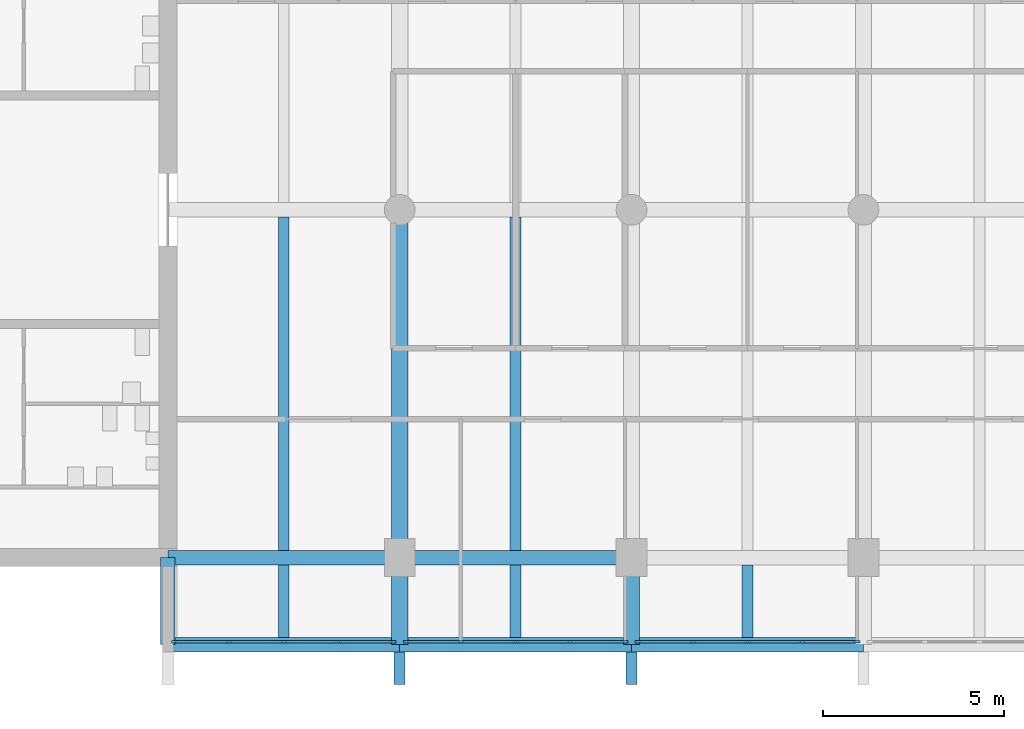
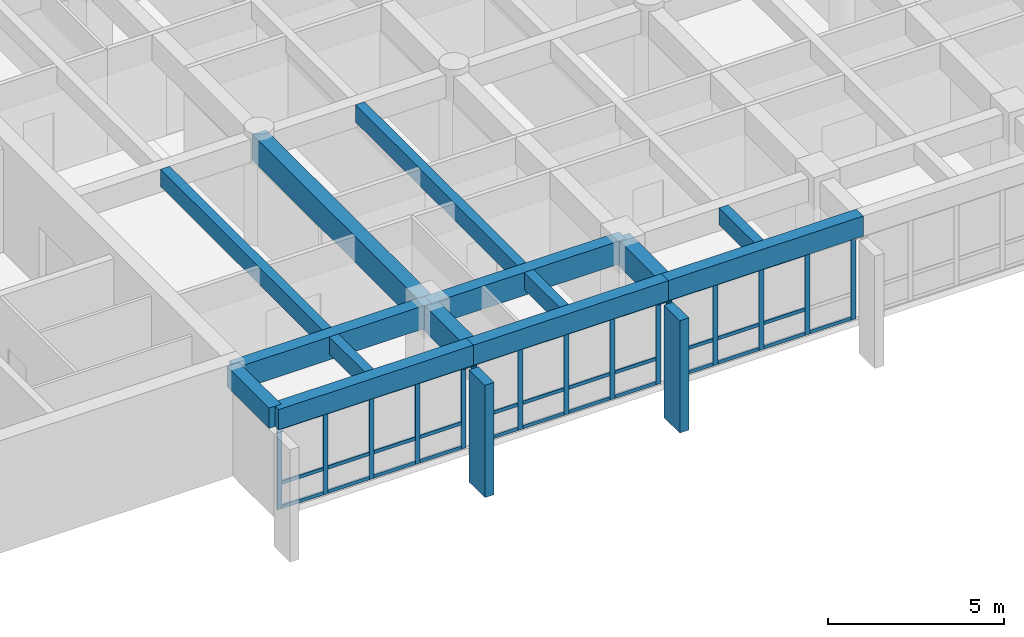
# One storey, part 2 of 15: 51 members, 14 beams, 3 elements without a shape of their own.
"""IFC4 building model written with IfcOpenShell, lengths in metres."""

from ifc_helpers import new_model, si_unit, direction, frame, origin, origin_2d, place, context, subcontext, project, spatial, rectangle, extrude, material, layer, layer_set, material_profile, profile_set, type_object, element, aggregate, save


model = new_model("IFC4")

# Units and contexts
model_context = context("Model", 3, precision=1e-05, world=origin(), true_north=direction((0.0, 1.0)))
body_context = subcontext(model_context, "Body", "Model", "MODEL_VIEW")
ifc_project = project(units=[si_unit("LENGTHUNIT", "METRE"), si_unit("AREAUNIT", "SQUARE_METRE"), si_unit("VOLUMEUNIT", "CUBIC_METRE"), si_unit("PLANEANGLEUNIT", "RADIAN"), si_unit("MASSUNIT", "GRAM", prefix="KILO")], contexts=[model_context])

# Site, building, storey
site_placement = place(None, origin())
site = spatial("IfcSite", under=ifc_project, at=site_placement, CompositionType="ELEMENT")
building_placement = place(site_placement, origin())
building = spatial("IfcBuilding", under=site, at=building_placement, Name="Fogon Plaza Fire Station and Headquarters Tower", CompositionType="ELEMENT")
storey_placement = place(building_placement, frame((0.0, 0.0, 52.199951171875)))
storey = spatial("IfcBuildingStorey", under=building, at=storey_placement, Name="L13", CompositionType="ELEMENT", Elevation=52.199951171875)

# Beams
ifc_material_1 = material(Name="Concrete C40", Category="concrete")
ifc_material_profile_1 = material_profile(ifc_material_1, rectangle(XDim=0.39990234375, YDim=0.699951171875, at=origin_2d()), Name="RC 400x700")
ifc_profile_set_1 = profile_set([ifc_material_profile_1], Name="Concrete C40")
beam_type_1 = type_object("IfcBeamType", Name="BEAM RC 400x700", PredefinedType="BEAM", material=ifc_profile_set_1)
for number, where, z_axis, x_axis, name in (
    (1, (25.60009765625, 31.199951171875, 3.330078125), (1.0, 0.0, 0.0), (0.0, 1.0, 0.0), "beam-L13-039"),
    (2, (32.0, 31.199951171875, 3.330078125), (1.0, 0.0, 0.0), (0.0, 1.0, 0.0), "beam-L13-040"),
):
    element("IfcBeam", number, at=place(storey_placement, frame(where, z_axis=z_axis, x_axis=x_axis)), inside=storey, type_object=beam_type_1, Name=name, PredefinedType="BEAM", context=body_context, shape_type="SweptSolid", body=[
        extrude(rectangle(XDim=0.39990234375, YDim=0.699951171875, at=origin_2d()), origin(), (0.0, 0.0, 1.0), 6.39990234375),
    ])
beam_1_placement = place(storey_placement, frame((38.39990234375, 31.199951171875, 3.330078125), z_axis=(1.0, 0.0, 0.0), x_axis=(0.0, 1.0, 0.0)))
element("IfcBeam", 3, at=beam_1_placement, inside=storey, type_object=beam_type_1, Name="beam-L13-041", PredefinedType="BEAM", context=body_context, shape_type="SweptSolid", body=[
    extrude(rectangle(XDim=0.39990234375, YDim=0.699951171875, at=origin_2d()), origin(), (0.0, 0.0, 1.0), 6.400146484375),
])
ifc_material_2 = material(Name="Concrete C40", Category="concrete")
ifc_material_profile_2 = material_profile(ifc_material_2, rectangle(XDim=0.39990234375, YDim=0.699951171875, at=origin_2d()), Name="RC 400x700")
ifc_profile_set_2 = profile_set([ifc_material_profile_2], Name="Concrete C40")
beam_type_2 = type_object("IfcBeamType", Name="BEAM RC 400x700 SPAN 0.0 TO 3.0 M", PredefinedType="BEAM", material=ifc_profile_set_2)
beam_2_placement = place(storey_placement, frame((25.60009765625, 31.199951171875, 3.330078125), z_axis=(0.0, 1.0, 0.0), x_axis=(-1.0, 0.0, 0.0)))
element("IfcBeam", 4, at=beam_2_placement, inside=storey, type_object=beam_type_2, Name="beam-L13-051", PredefinedType="BEAM", context=body_context, shape_type="SweptSolid", body=[
    extrude(rectangle(XDim=0.39990234375, YDim=0.699951171875, at=origin_2d()), origin(), (0.0, 0.0, 1.0), 2.400146484375),
])
ifc_material_3 = material(Name="Concrete C40", Category="concrete")
ifc_material_profile_3 = material_profile(ifc_material_3, rectangle(XDim=0.39990234375, YDim=0.800048828125, at=origin_2d()), Name="RC 400x800")
ifc_profile_set_3 = profile_set([ifc_material_profile_3], Name="Concrete C40")
beam_type_3 = type_object("IfcBeamType", Name="BEAM RC 400x800", PredefinedType="BEAM", material=ifc_profile_set_3)
for number, where, z_axis, x_axis, name in (
    (5, (25.60009765625, 33.60009765625, 3.280029296875), (1.0, 0.0, 0.0), (0.0, 1.0, 0.0), "beam-L13-021"),
    (6, (32.0, 33.60009765625, 3.280029296875), (1.0, 0.0, 0.0), (0.0, 1.0, 0.0), "beam-L13-022"),
):
    element("IfcBeam", number, at=place(storey_placement, frame(where, z_axis=z_axis, x_axis=x_axis)), inside=storey, type_object=beam_type_3, Name=name, PredefinedType="BEAM", context=body_context, shape_type="SweptSolid", body=[
        extrude(rectangle(XDim=0.39990234375, YDim=0.800048828125, at=origin_2d()), origin(), (0.0, 0.0, 1.0), 6.39990234375),
    ])
ifc_material_4 = material(Name="Concrete C40", Category="concrete")
ifc_material_profile_4 = material_profile(ifc_material_4, rectangle(XDim=0.449951171875, YDim=0.89990234375, at=origin_2d()), Name="RC 450x900")
ifc_profile_set_4 = profile_set([ifc_material_profile_4], Name="Concrete C40")
beam_type_4 = type_object("IfcBeamType", Name="BEAM RC 450x900", PredefinedType="BEAM", material=ifc_profile_set_4)
beam_3_placement = place(storey_placement, frame((32.0, 33.60009765625, 3.22998046875), z_axis=(0.0, 1.0, 0.0), x_axis=(-1.0, 0.0, 0.0)))
element("IfcBeam", 7, at=beam_3_placement, inside=storey, type_object=beam_type_4, Name="beam-L13-002", PredefinedType="BEAM", context=body_context, shape_type="SweptSolid", body=[
    extrude(rectangle(XDim=0.449951171875, YDim=0.89990234375, at=origin_2d()), origin(), (0.0, 0.0, 1.0), 9.599853515625),
])
ifc_material_5 = material(Name="Concrete C40", Category="concrete")
ifc_material_profile_5 = material_profile(ifc_material_5, rectangle(XDim=0.449951171875, YDim=0.89990234375, at=origin_2d()), Name="RC 450x900")
ifc_profile_set_5 = profile_set([ifc_material_profile_5], Name="Concrete C40")
beam_type_5 = type_object("IfcBeamType", Name="BEAM RC 450x900 SPAN 0.0 TO 3.0 M", PredefinedType="BEAM", material=ifc_profile_set_5)
for number, where, z_axis, x_axis, name in (
    (8, (32.0, 31.199951171875, 3.22998046875), (0.0, 1.0, 0.0), (-1.0, 0.0, 0.0), "beam-L13-001"),
    (9, (38.39990234375, 31.199951171875, 3.22998046875), (0.0, 1.0, 0.0), (-1.0, 0.0, 0.0), "beam-L13-005"),
):
    element("IfcBeam", number, at=place(storey_placement, frame(where, z_axis=z_axis, x_axis=x_axis)), inside=storey, type_object=beam_type_5, Name=name, PredefinedType="BEAM", context=body_context, shape_type="SweptSolid", body=[
        extrude(rectangle(XDim=0.449951171875, YDim=0.89990234375, at=origin_2d()), origin(), (0.0, 0.0, 1.0), 2.400146484375),
    ])

# Curtain wall, members
ifc_material_6 = material(Name="Aluminium and glass", Category="aluminium")
ifc_layer = layer(ifc_material_6, 0.14990234375)
ifc_layer_set = layer_set([ifc_layer], Name="Aluminium and glass")
curtain_wall_type = type_object("IfcCurtainWallType", Name="Unitised Curtain Wall Run 6100x2880", PredefinedType="NOTDEFINED", material=ifc_layer_set)
curtain_wall_1_placement = place(storey_placement, origin())
curtain_wall_1 = element("IfcCurtainWall", 10, at=curtain_wall_1_placement, inside=storey, type_object=curtain_wall_type, Name="CW-6100x2880 S1 L13", PredefinedType="NOTDEFINED")
ifc_material_7 = material(Name="Aluminium", Category="aluminium")
ifc_material_profile_6 = material_profile(ifc_material_7, rectangle(XDim=0.06005859375, YDim=0.159912109375, at=origin_2d()), Name="Curtain Wall Mullion 60x160")
ifc_profile_set_6 = profile_set([ifc_material_profile_6], Name="Aluminium")
member_type_1 = type_object("IfcMemberType", Name="Curtain Wall Mullion 60x160", PredefinedType="MULLION", material=ifc_profile_set_6)
member_1_placement = place(storey_placement, frame((25.780029296875, 31.280029296875, 0.0), z_axis=(0.0, 0.0, 1.0), x_axis=(0.0, 1.0, 0.0)))
member_1 = element("IfcMember", 11, at=member_1_placement, type_object=member_type_1, Name="CW-6100x2880 mullion 1", PredefinedType="MULLION", context=body_context, shape_type="SweptSolid", body=[
    extrude(rectangle(XDim=0.06005859375, YDim=0.159912109375, at=origin_2d()), origin(), (0.0, 0.0, 1.0), 2.880126953125),
])
member_2_placement = place(storey_placement, frame((27.2900390625, 31.280029296875, 0.0), z_axis=(0.0, 0.0, 1.0), x_axis=(0.0, 1.0, 0.0)))
member_2 = element("IfcMember", 12, at=member_2_placement, type_object=member_type_1, Name="CW-6100x2880 mullion 2", PredefinedType="MULLION", context=body_context, shape_type="SweptSolid", body=[
    extrude(rectangle(XDim=0.06005859375, YDim=0.159912109375, at=origin_2d()), origin(), (0.0, 0.0, 1.0), 2.880126953125),
])
member_3_placement = place(storey_placement, frame((28.800048828125, 31.280029296875, 0.0), z_axis=(0.0, 0.0, 1.0), x_axis=(0.0, 1.0, 0.0)))
member_3 = element("IfcMember", 13, at=member_3_placement, type_object=member_type_1, Name="CW-6100x2880 mullion 3", PredefinedType="MULLION", context=body_context, shape_type="SweptSolid", body=[
    extrude(rectangle(XDim=0.06005859375, YDim=0.159912109375, at=origin_2d()), origin(), (0.0, 0.0, 1.0), 2.880126953125),
])
member_4_placement = place(storey_placement, frame((30.31005859375, 31.280029296875, 0.0), z_axis=(0.0, 0.0, 1.0), x_axis=(0.0, 1.0, 0.0)))
member_4 = element("IfcMember", 14, at=member_4_placement, type_object=member_type_1, Name="CW-6100x2880 mullion 4", PredefinedType="MULLION", context=body_context, shape_type="SweptSolid", body=[
    extrude(rectangle(XDim=0.06005859375, YDim=0.159912109375, at=origin_2d()), origin(), (0.0, 0.0, 1.0), 2.880126953125),
])
member_5_placement = place(storey_placement, frame((31.820068359375, 31.280029296875, 0.0), z_axis=(0.0, 0.0, 1.0), x_axis=(0.0, 1.0, 0.0)))
member_5 = element("IfcMember", 15, at=member_5_placement, type_object=member_type_1, Name="CW-6100x2880 mullion 5", PredefinedType="MULLION", context=body_context, shape_type="SweptSolid", body=[
    extrude(rectangle(XDim=0.06005859375, YDim=0.159912109375, at=origin_2d()), origin(), (0.0, 0.0, 1.0), 2.880126953125),
])

curtain_wall_2_placement = place(storey_placement, origin())
curtain_wall_2 = element("IfcCurtainWall", 16, at=curtain_wall_2_placement, inside=storey, type_object=curtain_wall_type, Name="CW-6100x2880 S2 L13", PredefinedType="NOTDEFINED")
member_6_placement = place(storey_placement, frame((32.179931640625, 31.280029296875, 0.0), z_axis=(0.0, 0.0, 1.0), x_axis=(0.0, 1.0, 0.0)))
member_6 = element("IfcMember", 17, at=member_6_placement, type_object=member_type_1, Name="CW-6100x2880 mullion 1", PredefinedType="MULLION", context=body_context, shape_type="SweptSolid", body=[
    extrude(rectangle(XDim=0.06005859375, YDim=0.159912109375, at=origin_2d()), origin(), (0.0, 0.0, 1.0), 2.880126953125),
])
member_7_placement = place(storey_placement, frame((33.68994140625, 31.280029296875, 0.0), z_axis=(0.0, 0.0, 1.0), x_axis=(0.0, 1.0, 0.0)))
member_7 = element("IfcMember", 18, at=member_7_placement, type_object=member_type_1, Name="CW-6100x2880 mullion 2", PredefinedType="MULLION", context=body_context, shape_type="SweptSolid", body=[
    extrude(rectangle(XDim=0.06005859375, YDim=0.159912109375, at=origin_2d()), origin(), (0.0, 0.0, 1.0), 2.880126953125),
])
member_8_placement = place(storey_placement, frame((35.199951171875, 31.280029296875, 0.0), z_axis=(0.0, 0.0, 1.0), x_axis=(0.0, 1.0, 0.0)))
member_8 = element("IfcMember", 19, at=member_8_placement, type_object=member_type_1, Name="CW-6100x2880 mullion 3", PredefinedType="MULLION", context=body_context, shape_type="SweptSolid", body=[
    extrude(rectangle(XDim=0.06005859375, YDim=0.159912109375, at=origin_2d()), origin(), (0.0, 0.0, 1.0), 2.880126953125),
])
member_9_placement = place(storey_placement, frame((36.7099609375, 31.280029296875, 0.0), z_axis=(0.0, 0.0, 1.0), x_axis=(0.0, 1.0, 0.0)))
member_9 = element("IfcMember", 20, at=member_9_placement, type_object=member_type_1, Name="CW-6100x2880 mullion 4", PredefinedType="MULLION", context=body_context, shape_type="SweptSolid", body=[
    extrude(rectangle(XDim=0.06005859375, YDim=0.159912109375, at=origin_2d()), origin(), (0.0, 0.0, 1.0), 2.880126953125),
])
member_10_placement = place(storey_placement, frame((38.219970703125, 31.280029296875, 0.0), z_axis=(0.0, 0.0, 1.0), x_axis=(0.0, 1.0, 0.0)))
member_10 = element("IfcMember", 21, at=member_10_placement, type_object=member_type_1, Name="CW-6100x2880 mullion 5", PredefinedType="MULLION", context=body_context, shape_type="SweptSolid", body=[
    extrude(rectangle(XDim=0.06005859375, YDim=0.159912109375, at=origin_2d()), origin(), (0.0, 0.0, 1.0), 2.880126953125),
])

curtain_wall_3_placement = place(storey_placement, origin())
curtain_wall_3 = element("IfcCurtainWall", 22, at=curtain_wall_3_placement, inside=storey, type_object=curtain_wall_type, Name="CW-6100x2880 S3 L13", PredefinedType="NOTDEFINED")
member_11_placement = place(storey_placement, frame((38.580078125, 31.280029296875, 0.0), z_axis=(0.0, 0.0, 1.0), x_axis=(0.0, 1.0, 0.0)))
member_11 = element("IfcMember", 23, at=member_11_placement, type_object=member_type_1, Name="CW-6100x2880 mullion 1", PredefinedType="MULLION", context=body_context, shape_type="SweptSolid", body=[
    extrude(rectangle(XDim=0.06005859375, YDim=0.159912109375, at=origin_2d()), origin(), (0.0, 0.0, 1.0), 2.880126953125),
])
member_12_placement = place(storey_placement, frame((40.090087890625, 31.280029296875, 0.0), z_axis=(0.0, 0.0, 1.0), x_axis=(0.0, 1.0, 0.0)))
member_12 = element("IfcMember", 24, at=member_12_placement, type_object=member_type_1, Name="CW-6100x2880 mullion 2", PredefinedType="MULLION", context=body_context, shape_type="SweptSolid", body=[
    extrude(rectangle(XDim=0.06005859375, YDim=0.159912109375, at=origin_2d()), origin(), (0.0, 0.0, 1.0), 2.880126953125),
])
member_13_placement = place(storey_placement, frame((41.60009765625, 31.280029296875, 0.0), z_axis=(0.0, 0.0, 1.0), x_axis=(0.0, 1.0, 0.0)))
member_13 = element("IfcMember", 25, at=member_13_placement, type_object=member_type_1, Name="CW-6100x2880 mullion 3", PredefinedType="MULLION", context=body_context, shape_type="SweptSolid", body=[
    extrude(rectangle(XDim=0.06005859375, YDim=0.159912109375, at=origin_2d()), origin(), (0.0, 0.0, 1.0), 2.880126953125),
])
member_14_placement = place(storey_placement, frame((43.110107421875, 31.280029296875, 0.0), z_axis=(0.0, 0.0, 1.0), x_axis=(0.0, 1.0, 0.0)))
member_14 = element("IfcMember", 26, at=member_14_placement, type_object=member_type_1, Name="CW-6100x2880 mullion 4", PredefinedType="MULLION", context=body_context, shape_type="SweptSolid", body=[
    extrude(rectangle(XDim=0.06005859375, YDim=0.159912109375, at=origin_2d()), origin(), (0.0, 0.0, 1.0), 2.880126953125),
])
member_15_placement = place(storey_placement, frame((44.6201171875, 31.280029296875, 0.0), z_axis=(0.0, 0.0, 1.0), x_axis=(0.0, 1.0, 0.0)))
member_15 = element("IfcMember", 27, at=member_15_placement, type_object=member_type_1, Name="CW-6100x2880 mullion 5", PredefinedType="MULLION", context=body_context, shape_type="SweptSolid", body=[
    extrude(rectangle(XDim=0.06005859375, YDim=0.159912109375, at=origin_2d()), origin(), (0.0, 0.0, 1.0), 2.880126953125),
])

# Member
ifc_material_8 = material(Name="Aluminium", Category="aluminium")
ifc_material_profile_7 = material_profile(ifc_material_8, rectangle(XDim=0.06005859375, YDim=0.1201171875, at=origin_2d()), Name="Curtain Wall Transom 60x120")
ifc_profile_set_7 = profile_set([ifc_material_profile_7], Name="Aluminium")
member_type_2 = type_object("IfcMemberType", Name="Curtain Wall Transom 60x120", PredefinedType="USERDEFINED", material=ifc_profile_set_7)
member_16_placement = place(storey_placement, frame((25.81005859375, 31.280029296875, 0.06005859375), z_axis=(1.0, 0.0, 0.0), x_axis=(0.0, 1.0, 0.0)))
member_16 = element("IfcMember", 28, at=member_16_placement, type_object=member_type_2, Name="CW-6100x2880 transom 1.1", ObjectType="TRANSOM", PredefinedType="USERDEFINED", context=body_context, shape_type="SweptSolid", body=[
    extrude(rectangle(XDim=0.06005859375, YDim=0.1201171875, at=origin_2d()), origin(), (0.0, 0.0, 1.0), 1.449951171875),
])

member_17_placement = place(storey_placement, frame((25.81005859375, 31.280029296875, 0.900146484375), z_axis=(1.0, 0.0, 0.0), x_axis=(0.0, 1.0, 0.0)))
member_17 = element("IfcMember", 29, at=member_17_placement, type_object=member_type_2, Name="CW-6100x2880 transom 1.2", ObjectType="TRANSOM", PredefinedType="USERDEFINED", context=body_context, shape_type="SweptSolid", body=[
    extrude(rectangle(XDim=0.06005859375, YDim=0.1201171875, at=origin_2d()), origin(), (0.0, 0.0, 1.0), 1.449951171875),
])

member_18_placement = place(storey_placement, frame((25.81005859375, 31.280029296875, 2.820068359375), z_axis=(1.0, 0.0, 0.0), x_axis=(0.0, 1.0, 0.0)))
member_18 = element("IfcMember", 30, at=member_18_placement, type_object=member_type_2, Name="CW-6100x2880 transom 1.3", ObjectType="TRANSOM", PredefinedType="USERDEFINED", context=body_context, shape_type="SweptSolid", body=[
    extrude(rectangle(XDim=0.06005859375, YDim=0.1201171875, at=origin_2d()), origin(), (0.0, 0.0, 1.0), 1.449951171875),
])

member_19_placement = place(storey_placement, frame((27.320068359375, 31.280029296875, 0.06005859375), z_axis=(1.0, 0.0, 0.0), x_axis=(0.0, 1.0, 0.0)))
member_19 = element("IfcMember", 31, at=member_19_placement, type_object=member_type_2, Name="CW-6100x2880 transom 2.1", ObjectType="TRANSOM", PredefinedType="USERDEFINED", context=body_context, shape_type="SweptSolid", body=[
    extrude(rectangle(XDim=0.06005859375, YDim=0.1201171875, at=origin_2d()), origin(), (0.0, 0.0, 1.0), 1.449951171875),
])

member_20_placement = place(storey_placement, frame((27.320068359375, 31.280029296875, 0.900146484375), z_axis=(1.0, 0.0, 0.0), x_axis=(0.0, 1.0, 0.0)))
member_20 = element("IfcMember", 32, at=member_20_placement, type_object=member_type_2, Name="CW-6100x2880 transom 2.2", ObjectType="TRANSOM", PredefinedType="USERDEFINED", context=body_context, shape_type="SweptSolid", body=[
    extrude(rectangle(XDim=0.06005859375, YDim=0.1201171875, at=origin_2d()), origin(), (0.0, 0.0, 1.0), 1.449951171875),
])

member_21_placement = place(storey_placement, frame((27.320068359375, 31.280029296875, 2.820068359375), z_axis=(1.0, 0.0, 0.0), x_axis=(0.0, 1.0, 0.0)))
member_21 = element("IfcMember", 33, at=member_21_placement, type_object=member_type_2, Name="CW-6100x2880 transom 2.3", ObjectType="TRANSOM", PredefinedType="USERDEFINED", context=body_context, shape_type="SweptSolid", body=[
    extrude(rectangle(XDim=0.06005859375, YDim=0.1201171875, at=origin_2d()), origin(), (0.0, 0.0, 1.0), 1.449951171875),
])

member_22_placement = place(storey_placement, frame((28.830078125, 31.280029296875, 0.06005859375), z_axis=(1.0, 0.0, 0.0), x_axis=(0.0, 1.0, 0.0)))
member_22 = element("IfcMember", 34, at=member_22_placement, type_object=member_type_2, Name="CW-6100x2880 transom 3.1", ObjectType="TRANSOM", PredefinedType="USERDEFINED", context=body_context, shape_type="SweptSolid", body=[
    extrude(rectangle(XDim=0.06005859375, YDim=0.1201171875, at=origin_2d()), origin(), (0.0, 0.0, 1.0), 1.449951171875),
])

member_23_placement = place(storey_placement, frame((28.830078125, 31.280029296875, 0.900146484375), z_axis=(1.0, 0.0, 0.0), x_axis=(0.0, 1.0, 0.0)))
member_23 = element("IfcMember", 35, at=member_23_placement, type_object=member_type_2, Name="CW-6100x2880 transom 3.2", ObjectType="TRANSOM", PredefinedType="USERDEFINED", context=body_context, shape_type="SweptSolid", body=[
    extrude(rectangle(XDim=0.06005859375, YDim=0.1201171875, at=origin_2d()), origin(), (0.0, 0.0, 1.0), 1.449951171875),
])

member_24_placement = place(storey_placement, frame((28.830078125, 31.280029296875, 2.820068359375), z_axis=(1.0, 0.0, 0.0), x_axis=(0.0, 1.0, 0.0)))
member_24 = element("IfcMember", 36, at=member_24_placement, type_object=member_type_2, Name="CW-6100x2880 transom 3.3", ObjectType="TRANSOM", PredefinedType="USERDEFINED", context=body_context, shape_type="SweptSolid", body=[
    extrude(rectangle(XDim=0.06005859375, YDim=0.1201171875, at=origin_2d()), origin(), (0.0, 0.0, 1.0), 1.449951171875),
])

member_25_placement = place(storey_placement, frame((30.340087890625, 31.280029296875, 0.06005859375), z_axis=(1.0, 0.0, 0.0), x_axis=(0.0, 1.0, 0.0)))
member_25 = element("IfcMember", 37, at=member_25_placement, type_object=member_type_2, Name="CW-6100x2880 transom 4.1", ObjectType="TRANSOM", PredefinedType="USERDEFINED", context=body_context, shape_type="SweptSolid", body=[
    extrude(rectangle(XDim=0.06005859375, YDim=0.1201171875, at=origin_2d()), origin(), (0.0, 0.0, 1.0), 1.449951171875),
])

member_26_placement = place(storey_placement, frame((30.340087890625, 31.280029296875, 0.900146484375), z_axis=(1.0, 0.0, 0.0), x_axis=(0.0, 1.0, 0.0)))
member_26 = element("IfcMember", 38, at=member_26_placement, type_object=member_type_2, Name="CW-6100x2880 transom 4.2", ObjectType="TRANSOM", PredefinedType="USERDEFINED", context=body_context, shape_type="SweptSolid", body=[
    extrude(rectangle(XDim=0.06005859375, YDim=0.1201171875, at=origin_2d()), origin(), (0.0, 0.0, 1.0), 1.449951171875),
])

member_27_placement = place(storey_placement, frame((30.340087890625, 31.280029296875, 2.820068359375), z_axis=(1.0, 0.0, 0.0), x_axis=(0.0, 1.0, 0.0)))
member_27 = element("IfcMember", 39, at=member_27_placement, type_object=member_type_2, Name="CW-6100x2880 transom 4.3", ObjectType="TRANSOM", PredefinedType="USERDEFINED", context=body_context, shape_type="SweptSolid", body=[
    extrude(rectangle(XDim=0.06005859375, YDim=0.1201171875, at=origin_2d()), origin(), (0.0, 0.0, 1.0), 1.449951171875),
])

aggregate(curtain_wall_1, [member_1, member_2, member_3, member_4, member_5, member_16, member_17, member_18, member_19, member_20, member_21, member_22, member_23, member_24, member_25, member_26, member_27])

member_28_placement = place(storey_placement, frame((32.2099609375, 31.280029296875, 0.06005859375), z_axis=(1.0, 0.0, 0.0), x_axis=(0.0, 1.0, 0.0)))
member_28 = element("IfcMember", 40, at=member_28_placement, type_object=member_type_2, Name="CW-6100x2880 transom 1.1", ObjectType="TRANSOM", PredefinedType="USERDEFINED", context=body_context, shape_type="SweptSolid", body=[
    extrude(rectangle(XDim=0.06005859375, YDim=0.1201171875, at=origin_2d()), origin(), (0.0, 0.0, 1.0), 1.449951171875),
])

member_29_placement = place(storey_placement, frame((32.2099609375, 31.280029296875, 0.900146484375), z_axis=(1.0, 0.0, 0.0), x_axis=(0.0, 1.0, 0.0)))
member_29 = element("IfcMember", 41, at=member_29_placement, type_object=member_type_2, Name="CW-6100x2880 transom 1.2", ObjectType="TRANSOM", PredefinedType="USERDEFINED", context=body_context, shape_type="SweptSolid", body=[
    extrude(rectangle(XDim=0.06005859375, YDim=0.1201171875, at=origin_2d()), origin(), (0.0, 0.0, 1.0), 1.449951171875),
])

member_30_placement = place(storey_placement, frame((32.2099609375, 31.280029296875, 2.820068359375), z_axis=(1.0, 0.0, 0.0), x_axis=(0.0, 1.0, 0.0)))
member_30 = element("IfcMember", 42, at=member_30_placement, type_object=member_type_2, Name="CW-6100x2880 transom 1.3", ObjectType="TRANSOM", PredefinedType="USERDEFINED", context=body_context, shape_type="SweptSolid", body=[
    extrude(rectangle(XDim=0.06005859375, YDim=0.1201171875, at=origin_2d()), origin(), (0.0, 0.0, 1.0), 1.449951171875),
])

member_31_placement = place(storey_placement, frame((33.719970703125, 31.280029296875, 0.06005859375), z_axis=(1.0, 0.0, 0.0), x_axis=(0.0, 1.0, 0.0)))
member_31 = element("IfcMember", 43, at=member_31_placement, type_object=member_type_2, Name="CW-6100x2880 transom 2.1", ObjectType="TRANSOM", PredefinedType="USERDEFINED", context=body_context, shape_type="SweptSolid", body=[
    extrude(rectangle(XDim=0.06005859375, YDim=0.1201171875, at=origin_2d()), origin(), (0.0, 0.0, 1.0), 1.449951171875),
])

member_32_placement = place(storey_placement, frame((33.719970703125, 31.280029296875, 0.900146484375), z_axis=(1.0, 0.0, 0.0), x_axis=(0.0, 1.0, 0.0)))
member_32 = element("IfcMember", 44, at=member_32_placement, type_object=member_type_2, Name="CW-6100x2880 transom 2.2", ObjectType="TRANSOM", PredefinedType="USERDEFINED", context=body_context, shape_type="SweptSolid", body=[
    extrude(rectangle(XDim=0.06005859375, YDim=0.1201171875, at=origin_2d()), origin(), (0.0, 0.0, 1.0), 1.449951171875),
])

member_33_placement = place(storey_placement, frame((33.719970703125, 31.280029296875, 2.820068359375), z_axis=(1.0, 0.0, 0.0), x_axis=(0.0, 1.0, 0.0)))
member_33 = element("IfcMember", 45, at=member_33_placement, type_object=member_type_2, Name="CW-6100x2880 transom 2.3", ObjectType="TRANSOM", PredefinedType="USERDEFINED", context=body_context, shape_type="SweptSolid", body=[
    extrude(rectangle(XDim=0.06005859375, YDim=0.1201171875, at=origin_2d()), origin(), (0.0, 0.0, 1.0), 1.449951171875),
])

member_34_placement = place(storey_placement, frame((35.22998046875, 31.280029296875, 0.06005859375), z_axis=(1.0, 0.0, 0.0), x_axis=(0.0, 1.0, 0.0)))
member_34 = element("IfcMember", 46, at=member_34_placement, type_object=member_type_2, Name="CW-6100x2880 transom 3.1", ObjectType="TRANSOM", PredefinedType="USERDEFINED", context=body_context, shape_type="SweptSolid", body=[
    extrude(rectangle(XDim=0.06005859375, YDim=0.1201171875, at=origin_2d()), origin(), (0.0, 0.0, 1.0), 1.449951171875),
])

member_35_placement = place(storey_placement, frame((35.22998046875, 31.280029296875, 0.900146484375), z_axis=(1.0, 0.0, 0.0), x_axis=(0.0, 1.0, 0.0)))
member_35 = element("IfcMember", 47, at=member_35_placement, type_object=member_type_2, Name="CW-6100x2880 transom 3.2", ObjectType="TRANSOM", PredefinedType="USERDEFINED", context=body_context, shape_type="SweptSolid", body=[
    extrude(rectangle(XDim=0.06005859375, YDim=0.1201171875, at=origin_2d()), origin(), (0.0, 0.0, 1.0), 1.449951171875),
])

member_36_placement = place(storey_placement, frame((35.22998046875, 31.280029296875, 2.820068359375), z_axis=(1.0, 0.0, 0.0), x_axis=(0.0, 1.0, 0.0)))
member_36 = element("IfcMember", 48, at=member_36_placement, type_object=member_type_2, Name="CW-6100x2880 transom 3.3", ObjectType="TRANSOM", PredefinedType="USERDEFINED", context=body_context, shape_type="SweptSolid", body=[
    extrude(rectangle(XDim=0.06005859375, YDim=0.1201171875, at=origin_2d()), origin(), (0.0, 0.0, 1.0), 1.449951171875),
])

member_37_placement = place(storey_placement, frame((36.739990234375, 31.280029296875, 0.06005859375), z_axis=(1.0, 0.0, 0.0), x_axis=(0.0, 1.0, 0.0)))
member_37 = element("IfcMember", 49, at=member_37_placement, type_object=member_type_2, Name="CW-6100x2880 transom 4.1", ObjectType="TRANSOM", PredefinedType="USERDEFINED", context=body_context, shape_type="SweptSolid", body=[
    extrude(rectangle(XDim=0.06005859375, YDim=0.1201171875, at=origin_2d()), origin(), (0.0, 0.0, 1.0), 1.449951171875),
])

member_38_placement = place(storey_placement, frame((36.739990234375, 31.280029296875, 0.900146484375), z_axis=(1.0, 0.0, 0.0), x_axis=(0.0, 1.0, 0.0)))
member_38 = element("IfcMember", 50, at=member_38_placement, type_object=member_type_2, Name="CW-6100x2880 transom 4.2", ObjectType="TRANSOM", PredefinedType="USERDEFINED", context=body_context, shape_type="SweptSolid", body=[
    extrude(rectangle(XDim=0.06005859375, YDim=0.1201171875, at=origin_2d()), origin(), (0.0, 0.0, 1.0), 1.449951171875),
])

member_39_placement = place(storey_placement, frame((36.739990234375, 31.280029296875, 2.820068359375), z_axis=(1.0, 0.0, 0.0), x_axis=(0.0, 1.0, 0.0)))
member_39 = element("IfcMember", 51, at=member_39_placement, type_object=member_type_2, Name="CW-6100x2880 transom 4.3", ObjectType="TRANSOM", PredefinedType="USERDEFINED", context=body_context, shape_type="SweptSolid", body=[
    extrude(rectangle(XDim=0.06005859375, YDim=0.1201171875, at=origin_2d()), origin(), (0.0, 0.0, 1.0), 1.449951171875),
])

aggregate(curtain_wall_2, [member_6, member_7, member_8, member_9, member_10, member_28, member_29, member_30, member_31, member_32, member_33, member_34, member_35, member_36, member_37, member_38, member_39])

member_40_placement = place(storey_placement, frame((38.610107421875, 31.280029296875, 0.06005859375), z_axis=(1.0, 0.0, 0.0), x_axis=(0.0, 1.0, 0.0)))
member_40 = element("IfcMember", 52, at=member_40_placement, type_object=member_type_2, Name="CW-6100x2880 transom 1.1", ObjectType="TRANSOM", PredefinedType="USERDEFINED", context=body_context, shape_type="SweptSolid", body=[
    extrude(rectangle(XDim=0.06005859375, YDim=0.1201171875, at=origin_2d()), origin(), (0.0, 0.0, 1.0), 1.449951171875),
])

member_41_placement = place(storey_placement, frame((38.610107421875, 31.280029296875, 0.900146484375), z_axis=(1.0, 0.0, 0.0), x_axis=(0.0, 1.0, 0.0)))
member_41 = element("IfcMember", 53, at=member_41_placement, type_object=member_type_2, Name="CW-6100x2880 transom 1.2", ObjectType="TRANSOM", PredefinedType="USERDEFINED", context=body_context, shape_type="SweptSolid", body=[
    extrude(rectangle(XDim=0.06005859375, YDim=0.1201171875, at=origin_2d()), origin(), (0.0, 0.0, 1.0), 1.449951171875),
])

member_42_placement = place(storey_placement, frame((38.610107421875, 31.280029296875, 2.820068359375), z_axis=(1.0, 0.0, 0.0), x_axis=(0.0, 1.0, 0.0)))
member_42 = element("IfcMember", 54, at=member_42_placement, type_object=member_type_2, Name="CW-6100x2880 transom 1.3", ObjectType="TRANSOM", PredefinedType="USERDEFINED", context=body_context, shape_type="SweptSolid", body=[
    extrude(rectangle(XDim=0.06005859375, YDim=0.1201171875, at=origin_2d()), origin(), (0.0, 0.0, 1.0), 1.449951171875),
])

member_43_placement = place(storey_placement, frame((40.1201171875, 31.280029296875, 0.06005859375), z_axis=(1.0, 0.0, 0.0), x_axis=(0.0, 1.0, 0.0)))
member_43 = element("IfcMember", 55, at=member_43_placement, type_object=member_type_2, Name="CW-6100x2880 transom 2.1", ObjectType="TRANSOM", PredefinedType="USERDEFINED", context=body_context, shape_type="SweptSolid", body=[
    extrude(rectangle(XDim=0.06005859375, YDim=0.1201171875, at=origin_2d()), origin(), (0.0, 0.0, 1.0), 1.449951171875),
])

member_44_placement = place(storey_placement, frame((40.1201171875, 31.280029296875, 0.900146484375), z_axis=(1.0, 0.0, 0.0), x_axis=(0.0, 1.0, 0.0)))
member_44 = element("IfcMember", 56, at=member_44_placement, type_object=member_type_2, Name="CW-6100x2880 transom 2.2", ObjectType="TRANSOM", PredefinedType="USERDEFINED", context=body_context, shape_type="SweptSolid", body=[
    extrude(rectangle(XDim=0.06005859375, YDim=0.1201171875, at=origin_2d()), origin(), (0.0, 0.0, 1.0), 1.449951171875),
])

member_45_placement = place(storey_placement, frame((40.1201171875, 31.280029296875, 2.820068359375), z_axis=(1.0, 0.0, 0.0), x_axis=(0.0, 1.0, 0.0)))
member_45 = element("IfcMember", 57, at=member_45_placement, type_object=member_type_2, Name="CW-6100x2880 transom 2.3", ObjectType="TRANSOM", PredefinedType="USERDEFINED", context=body_context, shape_type="SweptSolid", body=[
    extrude(rectangle(XDim=0.06005859375, YDim=0.1201171875, at=origin_2d()), origin(), (0.0, 0.0, 1.0), 1.449951171875),
])

member_46_placement = place(storey_placement, frame((41.6298828125, 31.280029296875, 0.06005859375), z_axis=(1.0, 0.0, 0.0), x_axis=(0.0, 1.0, 0.0)))
member_46 = element("IfcMember", 58, at=member_46_placement, type_object=member_type_2, Name="CW-6100x2880 transom 3.1", ObjectType="TRANSOM", PredefinedType="USERDEFINED", context=body_context, shape_type="SweptSolid", body=[
    extrude(rectangle(XDim=0.06005859375, YDim=0.1201171875, at=origin_2d()), origin(), (0.0, 0.0, 1.0), 1.4501953125),
])

member_47_placement = place(storey_placement, frame((41.6298828125, 31.280029296875, 0.900146484375), z_axis=(1.0, 0.0, 0.0), x_axis=(0.0, 1.0, 0.0)))
member_47 = element("IfcMember", 59, at=member_47_placement, type_object=member_type_2, Name="CW-6100x2880 transom 3.2", ObjectType="TRANSOM", PredefinedType="USERDEFINED", context=body_context, shape_type="SweptSolid", body=[
    extrude(rectangle(XDim=0.06005859375, YDim=0.1201171875, at=origin_2d()), origin(), (0.0, 0.0, 1.0), 1.4501953125),
])

member_48_placement = place(storey_placement, frame((41.6298828125, 31.280029296875, 2.820068359375), z_axis=(1.0, 0.0, 0.0), x_axis=(0.0, 1.0, 0.0)))
member_48 = element("IfcMember", 60, at=member_48_placement, type_object=member_type_2, Name="CW-6100x2880 transom 3.3", ObjectType="TRANSOM", PredefinedType="USERDEFINED", context=body_context, shape_type="SweptSolid", body=[
    extrude(rectangle(XDim=0.06005859375, YDim=0.1201171875, at=origin_2d()), origin(), (0.0, 0.0, 1.0), 1.4501953125),
])

member_49_placement = place(storey_placement, frame((43.139892578125, 31.280029296875, 0.06005859375), z_axis=(1.0, 0.0, 0.0), x_axis=(0.0, 1.0, 0.0)))
member_49 = element("IfcMember", 61, at=member_49_placement, type_object=member_type_2, Name="CW-6100x2880 transom 4.1", ObjectType="TRANSOM", PredefinedType="USERDEFINED", context=body_context, shape_type="SweptSolid", body=[
    extrude(rectangle(XDim=0.06005859375, YDim=0.1201171875, at=origin_2d()), origin(), (0.0, 0.0, 1.0), 1.4501953125),
])

aggregate(curtain_wall_3, [member_11, member_12, member_13, member_14, member_15, member_40, member_41, member_42, member_43, member_44, member_45, member_46, member_47, member_48, member_49])

# Beams
ifc_material_9 = material(Name="Concrete C40", Category="concrete")
ifc_material_profile_8 = material_profile(ifc_material_9, rectangle(XDim=0.300048828125, YDim=0.60009765625, at=origin_2d()), Name="RC 300x600")
ifc_profile_set_8 = profile_set([ifc_material_profile_8], Name="Concrete C40")
beam_type_6 = type_object("IfcBeamType", Name="JOIST RC 300x600", PredefinedType="JOIST", material=ifc_profile_set_8)
for number, where, z_axis, x_axis, name in (
    (62, (28.800048828125, 33.800048828125, 3.380126953125), (0.0, 1.0, 0.0), (-1.0, 0.0, 0.0), "beam-L13-056"),
    (63, (35.199951171875, 33.800048828125, 3.380126953125), (0.0, 1.0, 0.0), (-1.0, 0.0, 0.0), "beam-L13-060"),
):
    element("IfcBeam", number, at=place(storey_placement, frame(where, z_axis=z_axis, x_axis=x_axis)), inside=storey, type_object=beam_type_6, Name=name, PredefinedType="JOIST", context=body_context, shape_type="SweptSolid", body=[
        extrude(rectangle(XDim=0.300048828125, YDim=0.60009765625, at=origin_2d()), origin(), (0.0, 0.0, 1.0), 9.199951171875),
    ])
ifc_material_10 = material(Name="Concrete C40", Category="concrete")
ifc_material_profile_9 = material_profile(ifc_material_10, rectangle(XDim=0.300048828125, YDim=0.60009765625, at=origin_2d()), Name="RC 300x600")
ifc_profile_set_9 = profile_set([ifc_material_profile_9], Name="Concrete C40")
beam_type_7 = type_object("IfcBeamType", Name="JOIST RC 300x600 SPAN 0.0 TO 3.0 M", PredefinedType="JOIST", material=ifc_profile_set_9)
for number, where, z_axis, x_axis, name in (
    (64, (28.800048828125, 31.39990234375, 3.380126953125), (0.0, 1.0, 0.0), (-1.0, 0.0, 0.0), "beam-L13-055"),
    (65, (35.199951171875, 31.39990234375, 3.380126953125), (0.0, 1.0, 0.0), (-1.0, 0.0, 0.0), "beam-L13-059"),
    (66, (41.60009765625, 31.39990234375, 3.380126953125), (0.0, 1.0, 0.0), (-1.0, 0.0, 0.0), "beam-L13-063"),
):
    element("IfcBeam", number, at=place(storey_placement, frame(where, z_axis=z_axis, x_axis=x_axis)), inside=storey, type_object=beam_type_7, Name=name, PredefinedType="JOIST", context=body_context, shape_type="SweptSolid", body=[
        extrude(rectangle(XDim=0.300048828125, YDim=0.60009765625, at=origin_2d()), origin(), (0.0, 0.0, 1.0), 2.0),
    ])

# Members
ifc_material_11 = material(Name="Concrete C40 precast", Category="concrete")
ifc_material_profile_10 = material_profile(ifc_material_11, rectangle(XDim=0.300048828125, YDim=0.89990234375, at=origin_2d()), Name="Precast Concrete Post 300x900")
ifc_profile_set_10 = profile_set([ifc_material_profile_10], Name="Concrete C40 precast")
member_type_3 = type_object("IfcMemberType", Name="Precast Concrete Post 300x900", PredefinedType="POST", material=ifc_profile_set_10)
for number, where, z_axis, x_axis, name in (
    (67, (32.0, 30.550048828125, -1.02001953125), (0.0, 0.0, 1.0), (1.0, 0.0, 0.0), "Precast Post S L13"),
    (68, (38.39990234375, 30.550048828125, -1.02001953125), (0.0, 0.0, 1.0), (1.0, 0.0, 0.0), "Precast Post S L13"),
):
    element("IfcMember", number, at=place(storey_placement, frame(where, z_axis=z_axis, x_axis=x_axis)), inside=storey, type_object=member_type_3, Name=name, PredefinedType="POST", context=body_context, shape_type="SweptSolid", body=[
        extrude(rectangle(XDim=0.300048828125, YDim=0.89990234375, at=origin_2d()), origin(), (0.0, 0.0, 1.0), 3.900146484375),
    ])

save(model, "model.ifc")
